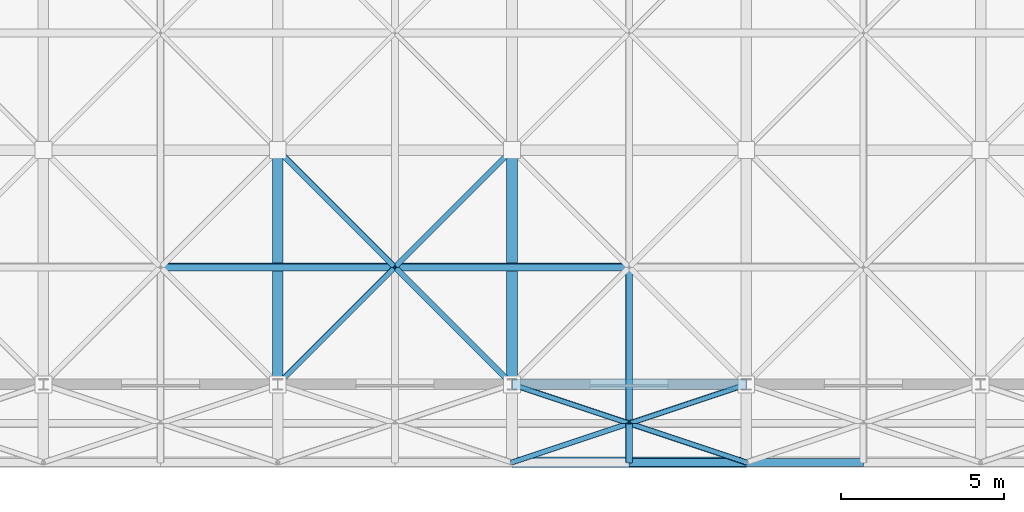
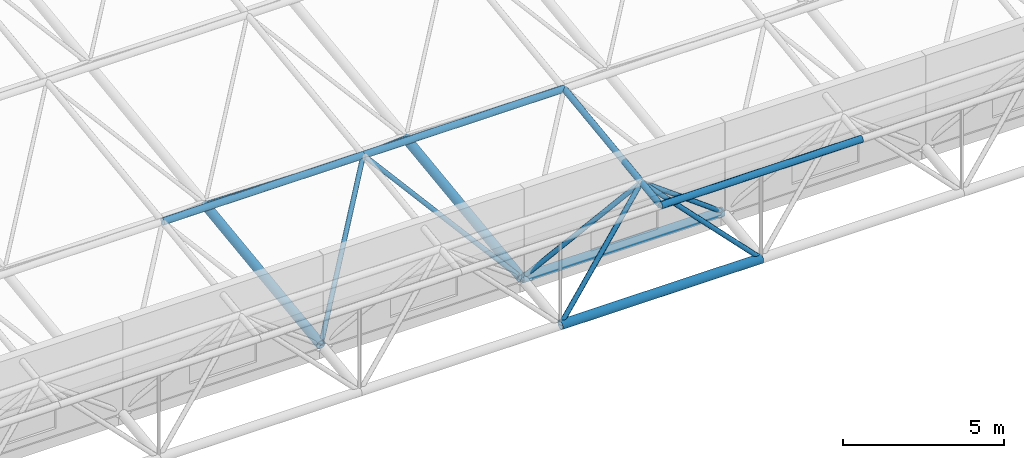
# One storey, part 49 of 103: 17 members.
"""IFC4 building model written with IfcOpenShell, lengths in metres."""

from ifc_helpers import new_model, si_unit, direction, frame, origin, origin_2d, place, context, subcontext, project, spatial, hollow_circle, extrude, material, material_profile, profile_set, type_object, element, save


model = new_model("IFC4")

# Units and contexts
model_context = context("Model", 3, precision=1e-05, world=origin(), true_north=direction((0.0, 1.0)))
body_context = subcontext(model_context, "Body", "Model", "MODEL_VIEW")
ifc_project = project(units=[si_unit("LENGTHUNIT", "METRE"), si_unit("AREAUNIT", "SQUARE_METRE"), si_unit("VOLUMEUNIT", "CUBIC_METRE"), si_unit("PLANEANGLEUNIT", "RADIAN"), si_unit("MASSUNIT", "GRAM", prefix="KILO")], contexts=[model_context])

# Site, building, storey
site_placement = place(None, origin())
site = spatial("IfcSite", under=ifc_project, at=site_placement, CompositionType="ELEMENT")
building_placement = place(site_placement, origin())
building = spatial("IfcBuilding", under=site, at=building_placement, Name="Thalmaran Polytechnic", CompositionType="ELEMENT")
storey_placement = place(building_placement, frame((0.0, 0.0, 14.39990234375)))
storey = spatial("IfcBuildingStorey", under=building, at=storey_placement, Name="L03", CompositionType="ELEMENT", Elevation=14.39990234375)

# Members
ifc_material = material(Name="Steel S355", Category="steel")
ifc_material_profile_1 = material_profile(ifc_material, hollow_circle(Radius=0.161865234375, WallThickness=0.012451171875, at=origin_2d()), Name="CHS 323.9x12.5")
ifc_profile_set_1 = profile_set([ifc_material_profile_1], Name="Steel S355")
member_type_1 = type_object("IfcMemberType", Name="MB-SFC0", PredefinedType="CHORD", material=ifc_profile_set_1)
member_1_placement = place(storey_placement, frame((151.199951171875, 0.0, 0.380126953125), z_axis=(1.0, 0.0, 0.0), x_axis=(0.0, 1.0, 0.0)))
element("IfcMember", 1, at=member_1_placement, inside=storey, type_object=member_type_1, Name="Space-Frame Bottom Chord X (6,1)", PredefinedType="CHORD", context=body_context, shape_type="SweptSolid", body=[
    extrude(hollow_circle(Radius=0.161865234375, WallThickness=0.012451171875, at=origin_2d()), origin(), (0.0, 0.0, 1.0), 7.199951171875),
])
ifc_material_profile_2 = material_profile(ifc_material, hollow_circle(Radius=0.122314453125, WallThickness=0.010009765625, at=origin_2d()), Name="CHS 244.5x10.0")
ifc_profile_set_2 = profile_set([ifc_material_profile_2], Name="Steel S355")
member_type_2 = type_object("IfcMemberType", Name="MB-SFC1", PredefinedType="CHORD", material=ifc_profile_set_2)
member_2_placement = place(storey_placement, frame((140.39990234375, 3.60009765625, 4.1240234375), z_axis=(1.0, 0.0, 0.0), x_axis=(0.0, 1.0, 0.0)))
element("IfcMember", 2, at=member_2_placement, inside=storey, type_object=member_type_2, Name="Space-Frame Top Chord X (5,2)", PredefinedType="CHORD", context=body_context, shape_type="SweptSolid", body=[
    extrude(hollow_circle(Radius=0.122314453125, WallThickness=0.010009765625, at=origin_2d()), origin(), (0.0, 0.0, 1.0), 7.2001953125),
])
for number, where, z_axis, x_axis, name in (
    (3, (147.60009765625, 3.60009765625, 4.1240234375), (1.0, 0.0, 0.0), (0.0, 1.0, 0.0), "Space-Frame Top Chord X (6,2)"),
    (4, (154.800048828125, -2.39990234375, 3.334228515625), (1.0, 0.0, 0.0), (0.0, 1.0, 0.0), "Space-Frame Top Chord X (7,0)"),
):
    element("IfcMember", number, at=place(storey_placement, frame(where, z_axis=z_axis, x_axis=x_axis)), inside=storey, type_object=member_type_2, Name=name, PredefinedType="CHORD", context=body_context, shape_type="SweptSolid", body=[
        extrude(hollow_circle(Radius=0.122314453125, WallThickness=0.010009765625, at=origin_2d()), origin(), (0.0, 0.0, 1.0), 7.199951171875),
    ])
ifc_material_profile_3 = material_profile(ifc_material, hollow_circle(Radius=0.109619140625, WallThickness=0.010009765625, at=origin_2d()), Name="CHS 219.1x10.0")
ifc_profile_set_3 = profile_set([ifc_material_profile_3], Name="Steel S355")
member_type_3 = type_object("IfcMemberType", Name="MB-SFC2", PredefinedType="CHORD", material=ifc_profile_set_3)
member_3_placement = place(storey_placement, frame((154.800048828125, -2.39990234375, 3.334228515625), z_axis=(0.0, 0.99144674145, 0.130511910828), x_axis=(-1.0, 0.0, 0.0)))
element("IfcMember", 5, at=member_3_placement, inside=storey, type_object=member_type_3, Name="Space-Frame Top Chord Y (7,0)", PredefinedType="CHORD", context=body_context, shape_type="SweptSolid", body=[
    extrude(hollow_circle(Radius=0.109619140625, WallThickness=0.010009765625, at=origin_2d()), origin(), (0.0, 0.0, 1.0), 1.210205078125),
])
member_4_placement = place(storey_placement, frame((154.800048828125, -1.199951171875, 3.4921875), z_axis=(0.0, 0.991447600372, 0.130505385777), x_axis=(-1.0, 0.0, 0.0)))
element("IfcMember", 6, at=member_4_placement, inside=storey, type_object=member_type_3, Name="Space-Frame Top Chord Y (7,1)", PredefinedType="CHORD", context=body_context, shape_type="SweptSolid", body=[
    extrude(hollow_circle(Radius=0.109619140625, WallThickness=0.010009765625, at=origin_2d()), origin(), (0.0, 0.0, 1.0), 4.841552734375),
])
ifc_material_profile_4 = material_profile(ifc_material, hollow_circle(Radius=0.161865234375, WallThickness=0.012451171875, at=origin_2d()), Name="CHS 323.9x12.5")
ifc_profile_set_4 = profile_set([ifc_material_profile_4], Name="Steel S355")
member_type_4 = type_object("IfcMemberType", Name="MB-SFC4", PredefinedType="CHORD", material=ifc_profile_set_4)
member_5_placement = place(storey_placement, frame((144.0, 0.0, 0.380126953125), z_axis=(0.0, 0.991447314079, 0.130507560722), x_axis=(-1.0, 0.0, 0.0)))
element("IfcMember", 7, at=member_5_placement, inside=storey, type_object=member_type_4, Name="Space-Frame Bottom Chord Y (5,1)", PredefinedType="CHORD", context=body_context, shape_type="SweptSolid", body=[
    extrude(hollow_circle(Radius=0.161865234375, WallThickness=0.012451171875, at=origin_2d()), origin(), (0.0, 0.0, 1.0), 7.261962890625),
])
member_6_placement = place(storey_placement, frame((151.199951171875, -2.39990234375, 0.064208984375), z_axis=(1.0, 0.0, 0.0), x_axis=(0.0, 1.0, 0.0)))
element("IfcMember", 8, at=member_6_placement, inside=storey, type_object=member_type_4, Name="Space-Frame Bottom Chord X (6,0)", PredefinedType="CHORD", context=body_context, shape_type="SweptSolid", body=[
    extrude(hollow_circle(Radius=0.161865234375, WallThickness=0.012451171875, at=origin_2d()), origin(), (0.0, 0.0, 1.0), 7.199951171875),
])
member_7_placement = place(storey_placement, frame((151.199951171875, 0.0, 0.380126953125), z_axis=(0.0, 0.991447314079, 0.130507560722), x_axis=(-1.0, 0.0, 0.0)))
element("IfcMember", 9, at=member_7_placement, inside=storey, type_object=member_type_4, Name="Space-Frame Bottom Chord Y (6,1)", PredefinedType="CHORD", context=body_context, shape_type="SweptSolid", body=[
    extrude(hollow_circle(Radius=0.161865234375, WallThickness=0.012451171875, at=origin_2d()), origin(), (0.0, 0.0, 1.0), 7.261962890625),
])
ifc_material_profile_5 = material_profile(ifc_material, hollow_circle(Radius=0.084228515625, WallThickness=0.008056640625, at=origin_2d()), Name="CHS 168.3x8.0")
ifc_profile_set_5 = profile_set([ifc_material_profile_5], Name="Steel S355")
member_type_5 = type_object("IfcMemberType", Name="MB-SFD1", PredefinedType="BRACE", material=ifc_profile_set_5)
for number, where, z_axis, x_axis, name in (
    (10, (144.0, 0.0, 0.380126953125), (0.569665890713, 0.569665890713, 0.592420075552), (-0.707106781187, 0.707106781187, 0.0), "Space-Frame Web Diagonal (5,1)-1"),
    (11, (151.199951171875, 0.0, 0.380126953125), (-0.569639794751, 0.569678427494, 0.592433113089), (-0.707130757816, -0.707082803744, 0.0), "Space-Frame Web Diagonal (5,1)-2"),
):
    element("IfcMember", number, at=place(storey_placement, frame(where, z_axis=z_axis, x_axis=x_axis)), inside=storey, type_object=member_type_5, Name=name, PredefinedType="BRACE", context=body_context, shape_type="SweptSolid", body=[
        extrude(hollow_circle(Radius=0.084228515625, WallThickness=0.008056640625, at=origin_2d()), origin(), (0.0, 0.0, 1.0), 6.319580078125),
    ])
for number, where, z_axis, x_axis, name in (
    (12, (144.0, 7.199951171875, 1.327880859375), (0.619803774917, -0.619761742923, 0.481392420597), (0.707082803744, 0.707130757816, 0.0), "Space-Frame Web Diagonal (5,1)-3"),
    (13, (151.199951171875, 7.199951171875, 1.327880859375), (-0.619777888784, -0.619777888784, 0.481404961699), (0.707106781187, -0.707106781187, 0.0), "Space-Frame Web Diagonal (5,1)-4"),
):
    element("IfcMember", number, at=place(storey_placement, frame(where, z_axis=z_axis, x_axis=x_axis)), inside=storey, type_object=member_type_5, Name=name, PredefinedType="BRACE", context=body_context, shape_type="SweptSolid", body=[
        extrude(hollow_circle(Radius=0.084228515625, WallThickness=0.008056640625, at=origin_2d()), origin(), (0.0, 0.0, 1.0), 5.808349609375),
    ])
for number, where, z_axis, x_axis, name in (
    (14, (151.199951171875, -2.39990234375, 0.064208984375), (0.703987521352, 0.234646593479, 0.670330176815), (-0.316208465333, 0.948689731394, 0.0), "Space-Frame Web Diagonal (6,0)-1"),
    (15, (158.39990234375, -2.39990234375, 0.064208984375), (-0.703963439546, 0.234654479849, 0.670352706319), (-0.316227766017, -0.948683298051, 0.0), "Space-Frame Web Diagonal (6,0)-2"),
):
    element("IfcMember", number, at=place(storey_placement, frame(where, z_axis=z_axis, x_axis=x_axis)), inside=storey, type_object=member_type_5, Name=name, PredefinedType="BRACE", context=body_context, shape_type="SweptSolid", body=[
        extrude(hollow_circle(Radius=0.084228515625, WallThickness=0.008056640625, at=origin_2d()), origin(), (0.0, 0.0, 1.0), 5.11376953125),
    ])
member_8_placement = place(storey_placement, frame((151.199951171875, 0.0, 0.380126953125), z_axis=(0.733561258825, -0.244503837456, 0.634118090753), x_axis=(0.316208465333, 0.948689731394, 0.0)))
element("IfcMember", 16, at=member_8_placement, inside=storey, type_object=member_type_5, Name="Space-Frame Web Diagonal (6,0)-3", PredefinedType="BRACE", context=body_context, shape_type="SweptSolid", body=[
    extrude(hollow_circle(Radius=0.084228515625, WallThickness=0.008056640625, at=origin_2d()), origin(), (0.0, 0.0, 1.0), 4.90771484375),
])
member_9_placement = place(storey_placement, frame((158.39990234375, 0.0, 0.380126953125), z_axis=(-0.733538280282, -0.244512760094, 0.634141231519), x_axis=(0.316227766017, -0.948683298051, 0.0)))
element("IfcMember", 17, at=member_9_placement, inside=storey, type_object=member_type_5, Name="Space-Frame Web Diagonal (6,0)-4", PredefinedType="BRACE", context=body_context, shape_type="SweptSolid", body=[
    extrude(hollow_circle(Radius=0.084228515625, WallThickness=0.008056640625, at=origin_2d()), origin(), (0.0, 0.0, 1.0), 4.907470703125),
])

save(model, "model.ifc")
